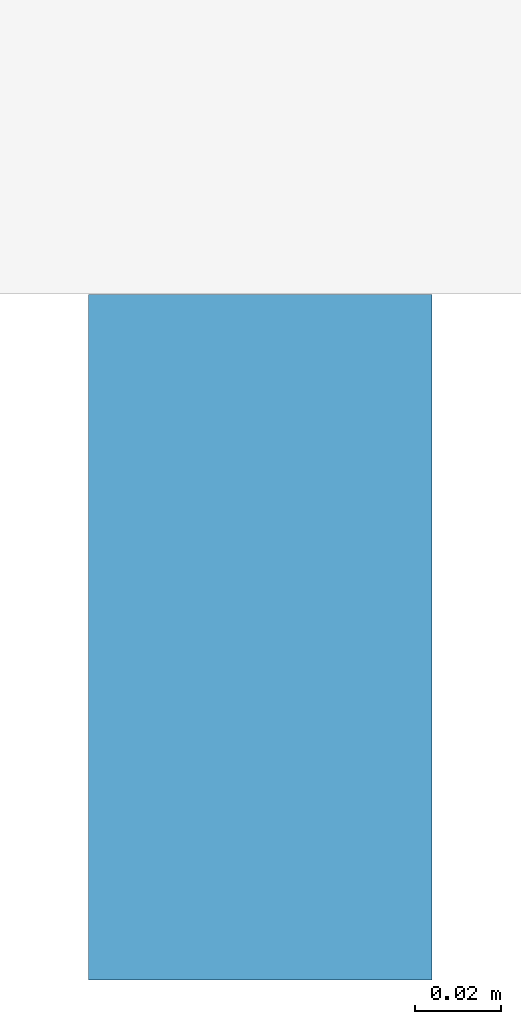
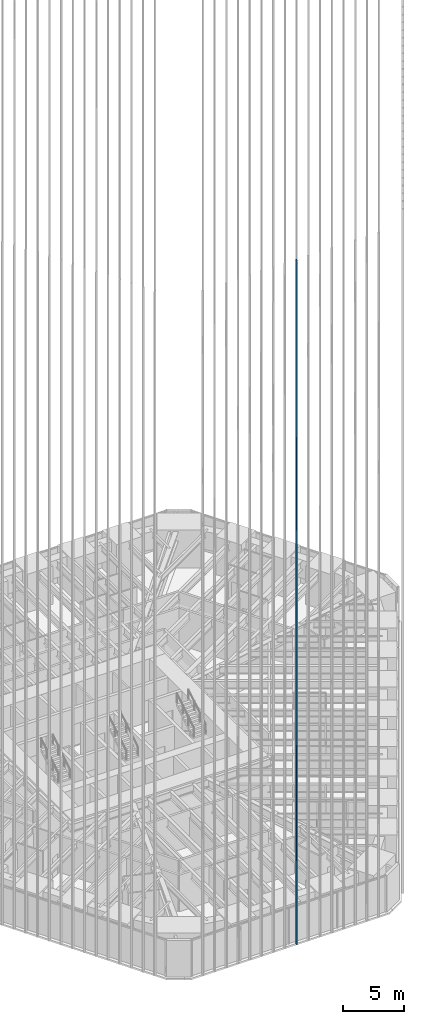
# One storey, part 38 of 256: 1 member, 1 element without a shape of its own.
"""IFC4 building model written with IfcOpenShell, lengths in metres."""

from ifc_helpers import new_model, si_unit, direction, frame, origin, origin_2d, place, context, subcontext, project, spatial, rectangle, extrude, material, material_profile, profile_set, type_object, element, aggregate, save


model = new_model("IFC4")

# Units and contexts
model_context = context("Model", 3, precision=1e-05, world=origin(), true_north=direction((0.0, 1.0)))
body_context = subcontext(model_context, "Body", "Model", "MODEL_VIEW")
ifc_project = project(units=[si_unit("LENGTHUNIT", "METRE"), si_unit("AREAUNIT", "SQUARE_METRE"), si_unit("VOLUMEUNIT", "CUBIC_METRE"), si_unit("PLANEANGLEUNIT", "RADIAN"), si_unit("MASSUNIT", "GRAM", prefix="KILO")], contexts=[model_context])

# Site, building, storey
site_placement = place(None, origin())
site = spatial("IfcSite", under=ifc_project, at=site_placement, CompositionType="ELEMENT")
building_placement = place(site_placement, origin())
building = spatial("IfcBuilding", under=site, at=building_placement, Name="Sandreach Pilgrim Tower", CompositionType="ELEMENT")
storey_placement = place(building_placement, frame((0.0, 0.0, 23.0)))
storey = spatial("IfcBuildingStorey", under=building, at=storey_placement, Name="L04", CompositionType="ELEMENT", Elevation=23.0)

# Curtain wall, member
ifc_material_1 = material(Name="Aluminium framed curtain wall", Category="aluminium")
curtain_wall_type = type_object("IfcCurtainWallType", Name="Hostel tower curtain wall", PredefinedType="NOTDEFINED", material=ifc_material_1)
curtain_wall_placement = place(storey_placement, origin())
curtain_wall = element("IfcCurtainWall", 1, at=curtain_wall_placement, inside=storey, type_object=curtain_wall_type, Name="CW-1 L04 S", PredefinedType="NOTDEFINED")
ifc_material_2 = material(Name="Extruded terracotta on aluminium core", Category="masonry")
ifc_material_profile = material_profile(ifc_material_2, rectangle(XDim=0.080078125, YDim=0.159912109375, at=origin_2d()), Name="TBS 80X160")
ifc_profile_set = profile_set([ifc_material_profile], Name="Extruded terracotta on aluminium core")
member_type = type_object("IfcMemberType", Name="Terracotta baguette south", PredefinedType="USERDEFINED", material=ifc_profile_set)
member_placement = place(storey_placement, frame((0.552490234375, -30.390869140625, 0.0), z_axis=(0.0, 0.0, 1.0), x_axis=(-1.0, 0.0, 0.0)))
member = element("IfcMember", 2, at=member_placement, type_object=member_type, Name="Baguette Z1 S08", ObjectType="BAGUETTE", PredefinedType="USERDEFINED", context=body_context, shape_type="SweptSolid", body=[
    extrude(rectangle(XDim=0.080078125, YDim=0.159912109375, at=origin_2d()), origin(), (0.0, 0.0, 1.0), 68.239990234375),
])
aggregate(curtain_wall, [member])

save(model, "model.ifc")
